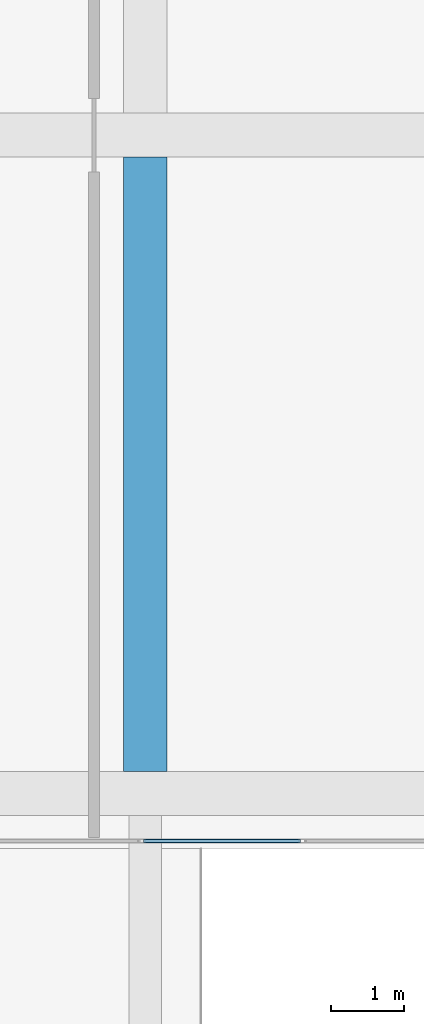
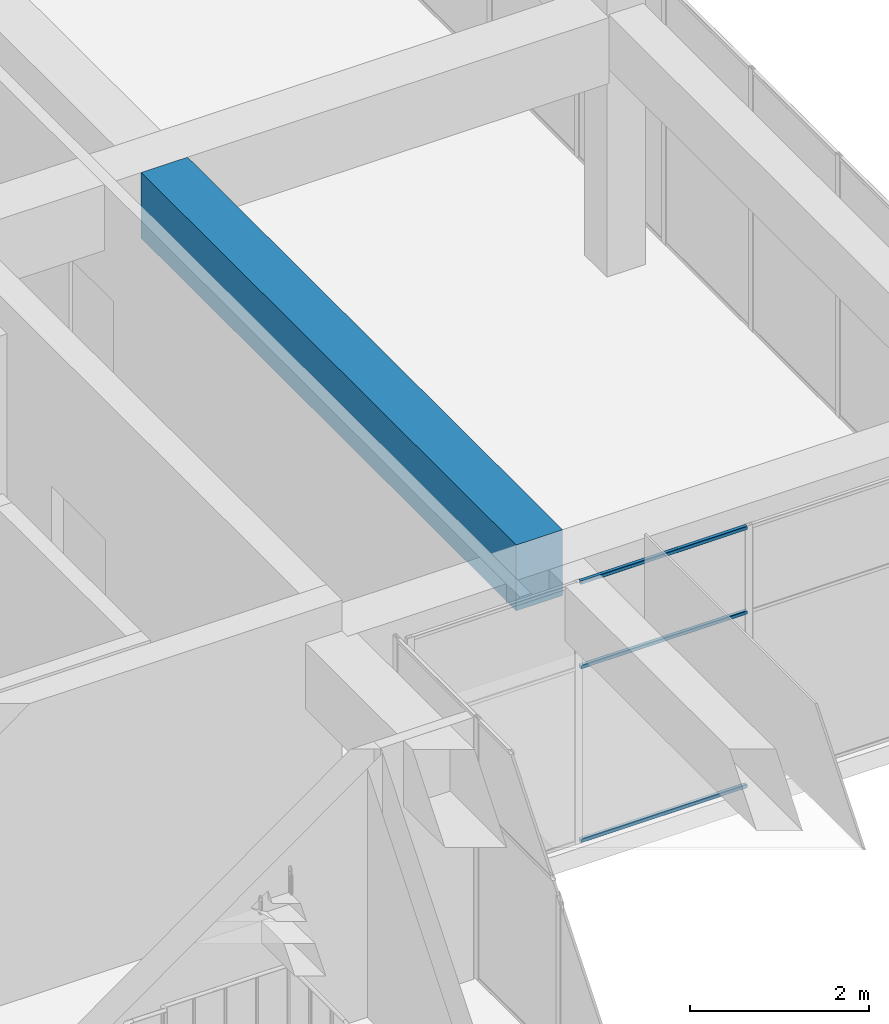
# One storey, part 10 of 36: 3 members, 1 beam, 1 element without a shape of its own.
"""IFC4 building model written with IfcOpenShell, lengths in metres."""

import ifcopenshell
import ifcopenshell.guid

model = None  # the IFC model being written
_history = None  # IfcOwnerHistory: only IFC2X3 demands one
_inside = {}  # id of a spatial element -> (the spatial element, [elements in it])
_under = {}  # id of a project, library or spatial element -> (it, [spatial elements below it])
_declared = {}  # id of a project -> (the project, [libraries it declares])
_typed = {}  # id of a type object -> (the type object, [elements of that type])
_made_of = {}  # id of a material, layer set ... -> (it, [elements and type objects made of it])


def new_model(schema):
    """Start an empty IFC model of exactly this schema.

    Asked for "IFC4X3", IfcOpenShell would pick the latest addendum, in which some entities
    have other attributes; the version numbers below select the first issue.
    IFC2X3 requires an IfcOwnerHistory on every rooted entity: one is made here for all.
    """
    global model, _history
    if schema == "IFC4X3":
        model = ifcopenshell.file(schema_version=(4, 3, 0, 0))
    else:
        model = ifcopenshell.file(schema=schema)
    _inside.clear()
    _under.clear()
    _declared.clear()
    _typed.clear()
    _made_of.clear()
    _history = None
    if model.schema == "IFC2X3":
        org = make("IfcOrganization", Name="unknown")
        user = make(
            "IfcPersonAndOrganization",
            ThePerson=make("IfcPerson", FamilyName="unknown"),
            TheOrganization=org,
        )
        app = make(
            "IfcApplication",
            ApplicationDeveloper=org,
            Version="unknown",
            ApplicationFullName="unknown",
            ApplicationIdentifier="unknown",
        )
        _history = make(
            "IfcOwnerHistory",
            OwningUser=user,
            OwningApplication=app,
            ChangeAction="ADDED",
            CreationDate=0,
        )
    return model


def make(cls, **values):
    """One entity of the class cls with the attributes given. An attribute that is None is left unset."""
    return model.create_entity(
        cls, **{name: value for name, value in values.items() if value is not None}
    )


def rooted(cls, **values):
    """An entity with a GlobalId (a new one), such as an element, a storey or a relation."""
    return make(cls, GlobalId=ifcopenshell.guid.new(), OwnerHistory=_history, **values)


def si_unit(unit_type, name, prefix=None):
    """IfcSIUnit, for example si_unit("LENGTHUNIT", "METRE", prefix="MILLI")."""
    return make("IfcSIUnit", UnitType=unit_type, Prefix=prefix, Name=name)


def assignment(units):
    """IfcUnitAssignment: the units of a project."""
    return None if units is None else make("IfcUnitAssignment", Units=units)


def point(xyz):
    """IfcCartesianPoint."""
    return None if xyz is None else make("IfcCartesianPoint", Coordinates=xyz)


def direction(xyz):
    """IfcDirection."""
    return None if xyz is None else make("IfcDirection", DirectionRatios=xyz)


def frame(location, z_axis=None, x_axis=None):
    """IfcAxis2Placement3D, a coordinate frame: its origin and axes. An axis left out is left unset."""
    return make(
        "IfcAxis2Placement3D",
        Location=point(location),
        Axis=direction(z_axis),
        RefDirection=direction(x_axis),
    )


def frame_2d(location, x_axis=None):
    """IfcAxis2Placement2D, a coordinate frame in the plane: its origin and x axis."""
    return make(
        "IfcAxis2Placement2D", Location=point(location), RefDirection=direction(x_axis)
    )


def origin():
    """The frame at (0, 0, 0) with its axes left unset."""
    return frame((0.0, 0.0, 0.0))


def origin_2d():
    """The frame at (0, 0) in the plane with its x axis left unset."""
    return frame_2d((0.0, 0.0))


def place(relative_to, where):
    """IfcLocalPlacement: puts the frame where relative to a parent placement (None: the world)."""
    return make(
        "IfcLocalPlacement", PlacementRelTo=relative_to, RelativePlacement=where
    )


def context(
    kind, dimensions, precision=None, world=None, true_north=None, identifier=None
):
    """IfcGeometricRepresentationContext, for example the 3D "Model" context."""
    return make(
        "IfcGeometricRepresentationContext",
        ContextIdentifier=identifier,
        ContextType=kind,
        CoordinateSpaceDimension=dimensions,
        Precision=precision,
        WorldCoordinateSystem=world,
        TrueNorth=true_north,
    )


def subcontext(parent, identifier, kind, view, scale=None):
    """IfcGeometricRepresentationSubContext, for example "Body" below "Model"."""
    return make(
        "IfcGeometricRepresentationSubContext",
        ContextIdentifier=identifier,
        ContextType=kind,
        ParentContext=parent,
        TargetScale=scale,
        TargetView=view,
    )


def project(units=None, contexts=None):
    """IfcProject with its units and contexts."""
    return rooted(
        "IfcProject",
        Name="project",
        RepresentationContexts=contexts,
        UnitsInContext=assignment(units),
    )


def spatial(cls, under=None, at=None, **own):
    """A site, building, storey or space (cls), placed at a placement, below another one or the project."""
    s = rooted(cls, ObjectPlacement=at, **own)
    if under is not None:
        _under.setdefault(under.id(), (under, []))[1].append(s)
    return s


def profile(cls, at=None, kind="AREA", **sizes):
    """A parametric profile (cls). Its sizes go by their IFC names, for example OverallWidth=200.0."""
    return make(cls, ProfileType=kind, Position=at, **sizes)


def rectangle(**sizes):
    """IfcRectangleProfileDef."""
    return profile("IfcRectangleProfileDef", **sizes)


def hollow_rectangle(**sizes):
    """IfcRectangleHollowProfileDef."""
    return profile("IfcRectangleHollowProfileDef", **sizes)


def extrude(swept, where, along, depth):
    """IfcExtrudedAreaSolid: the profile swept, set in the frame where, extruded along a direction by depth."""
    return make(
        "IfcExtrudedAreaSolid",
        SweptArea=swept,
        Position=where,
        ExtrudedDirection=direction(along),
        Depth=depth,
    )


def shape(context_of_items, identifier, shape_type, items):
    """IfcShapeRepresentation: the items that make up one representation, for example the "Body"."""
    return make(
        "IfcShapeRepresentation",
        ContextOfItems=context_of_items,
        RepresentationIdentifier=identifier,
        RepresentationType=shape_type,
        Items=items,
    )


def material(Name=None, Category=None):
    """IfcMaterial."""
    return make("IfcMaterial", Name=Name, Category=Category)


def layer(
    of_material, thickness, ventilated=None, Name=None, Category=None, Priority=None
):
    """IfcMaterialLayer: one layer of a wall or slab, of a material (None: an air gap)."""
    return make(
        "IfcMaterialLayer",
        Material=of_material,
        LayerThickness=thickness,
        IsVentilated=ventilated,
        Name=Name,
        Category=Category,
        Priority=Priority,
    )


def layer_set(layers, Name=None):
    """IfcMaterialLayerSet."""
    return make("IfcMaterialLayerSet", MaterialLayers=layers, LayerSetName=Name)


def material_profile(
    of_material, cross_section, Name=None, Category=None, Priority=None
):
    """IfcMaterialProfile: a cross section and its material."""
    return make(
        "IfcMaterialProfile",
        Name=Name,
        Material=of_material,
        Profile=cross_section,
        Priority=Priority,
        Category=Category,
    )


def profile_set(profiles, Name=None, composite=None):
    """IfcMaterialProfileSet."""
    return make(
        "IfcMaterialProfileSet",
        Name=Name,
        MaterialProfiles=profiles,
        CompositeProfile=composite,
    )


def made_of(thing, what):
    """Note that an element or type object is made of a material, layer set ...; save() writes the relation."""
    if what is not None:
        _made_of.setdefault(what.id(), (what, []))[1].append(thing)
    return thing


def type_object(cls, material=None, **own):
    """A type object (cls), such as IfcWallType, which elements share."""
    return made_of(rooted(cls, **own), material)


def element(
    cls,
    number,
    at=None,
    inside=None,
    cuts=None,
    type_object=None,
    material=None,
    context=None,
    identifier="Body",
    shape_type=None,
    held_by="IfcProductDefinitionShape",
    body=None,
    shapes=None,
    **own,
):
    """One element of the class cls, such as IfcWall. Its Tag is "e" and its number.

    at: its placement. inside: the storey or other place that contains it. cuts: it is an
    opening in that element (IfcRelVoidsElement). A single representation is given by context,
    identifier, shape_type and body (its items); several are given by shapes. held_by: the class
    of the entity that holds the representations. save() writes the other relations.
    """
    e = rooted(cls, Tag="e%d" % number, ObjectPlacement=at, **own)
    if body is not None:
        shapes = [shape(context, identifier, shape_type, body)]
    if shapes is not None:
        e.Representation = make(held_by, Representations=shapes)
    if inside is not None:
        _inside.setdefault(inside.id(), (inside, []))[1].append(e)
    if cuts is not None:
        rooted(
            "IfcRelVoidsElement", RelatingBuildingElement=cuts, RelatedOpeningElement=e
        )
    if type_object is not None:
        _typed.setdefault(type_object.id(), (type_object, []))[1].append(e)
    return made_of(e, material)


def aggregate(whole, parts):
    """IfcRelAggregates: a whole, such as a stair, and the parts it consists of."""
    return rooted("IfcRelAggregates", RelatingObject=whole, RelatedObjects=parts)


def save(model, path):
    """Write the relations noted so far, then the file.

    IfcRelAggregates (storeys below a building ...), IfcRelContainedInSpatialStructure (elements
    in a storey), IfcRelDefinesByType, IfcRelAssociatesMaterial and IfcRelDeclares: one each for
    every whole, place, type object, material and project.
    """
    for whole, parts in _under.values():
        aggregate(whole, parts)
    for where, things in _inside.values():
        rooted(
            "IfcRelContainedInSpatialStructure",
            RelatedElements=things,
            RelatingStructure=where,
        )
    for kind, things in _typed.values():
        rooted("IfcRelDefinesByType", RelatedObjects=things, RelatingType=kind)
    for what, things in _made_of.values():
        rooted("IfcRelAssociatesMaterial", RelatedObjects=things, RelatingMaterial=what)
    for by, libraries in _declared.values():
        rooted("IfcRelDeclares", RelatingContext=by, RelatedDefinitions=libraries)
    model.write(path)


model = new_model("IFC4")

# Units and contexts
model_context = context("Model", 3, precision=1e-05, world=origin(), true_north=direction((0.0, 1.0)))
body_context = subcontext(model_context, "Body", "Model", "MODEL_VIEW")
ifc_project = project(units=[si_unit("LENGTHUNIT", "METRE"), si_unit("AREAUNIT", "SQUARE_METRE"), si_unit("VOLUMEUNIT", "CUBIC_METRE"), si_unit("PLANEANGLEUNIT", "RADIAN"), si_unit("MASSUNIT", "GRAM", prefix="KILO")], contexts=[model_context])

# Site, building, storey
site_placement = place(None, origin())
site = spatial("IfcSite", under=ifc_project, at=site_placement, CompositionType="ELEMENT")
building_placement = place(site_placement, origin())
building = spatial("IfcBuilding", under=site, at=building_placement, Name="Tuart Plaza Theatre", CompositionType="ELEMENT")
storey_placement = place(building_placement, frame((0.0, 0.0, 61.5)))
storey = spatial("IfcBuildingStorey", under=building, at=storey_placement, Name="L15", CompositionType="ELEMENT", Elevation=61.5)

# Beam
ifc_material_1 = material(Name="Concrete N40 (40 MPa)", Category="concrete")
ifc_material_profile_1 = material_profile(ifc_material_1, rectangle(XDim=0.60009765625, YDim=0.89990234375, at=origin_2d()), Name="BEAM 600x900 Concrete N40 (40 MPa)")
ifc_profile_set_1 = profile_set([ifc_material_profile_1], Name="Concrete N40 (40 MPa)")
beam_type = type_object("IfcBeamType", Name="BEAM 600x900 Concrete N40 (40 MPa)", PredefinedType="BEAM", material=ifc_profile_set_1)
beam_placement = place(storey_placement, frame((144.0, 65.300048828125, 3.1298828125), z_axis=(0.0, 1.0, 0.0), x_axis=(-1.0, 0.0, 0.0)))
element("IfcBeam", 1, at=beam_placement, inside=storey, type_object=beam_type, Name="RB350", PredefinedType="BEAM", context=body_context, shape_type="SweptSolid", body=[
    extrude(rectangle(XDim=0.60009765625, YDim=0.89990234375, at=origin_2d()), origin(), (0.0, 0.0, 1.0), 8.39990234375),
])

# Curtain wall, members
ifc_material_2 = material(Name="Aluminium and glass", Category="aluminium")
ifc_layer = layer(ifc_material_2, 0.10009765625)
ifc_layer_set = layer_set([ifc_layer], Name="CURTAIN WALL 2000 module")
curtain_wall_type = type_object("IfcCurtainWallType", Name="CURTAIN WALL 2000 module", PredefinedType="NOTDEFINED", material=ifc_layer_set)
curtain_wall_placement = place(storey_placement, origin())
curtain_wall = element("IfcCurtainWall", 2, at=curtain_wall_placement, inside=storey, type_object=curtain_wall_type, Name="CW113", PredefinedType="NOTDEFINED")
ifc_material_3 = material(Name="Aluminium 6063-T5", Category="aluminium")
ifc_material_profile_2 = material_profile(ifc_material_3, hollow_rectangle(XDim=0.050048828125, YDim=0.050048828125, WallThickness=0.00390625, InnerFilletRadius=0.00390625, OuterFilletRadius=0.008056640625, at=origin_2d()), Name="RHS 50x50x4")
ifc_profile_set_2 = profile_set([ifc_material_profile_2], Name="Aluminium 6063-T5")
member_type = type_object("IfcMemberType", Name="TRANSOM RHS 50x50x4", PredefinedType="USERDEFINED", material=ifc_profile_set_2)
member_1_placement = place(storey_placement, frame((143.97509765625, 64.35009765625, 0.02490234375), z_axis=(1.0, 0.0, 0.0), x_axis=(0.0, 1.0, 0.0)))
member_1 = element("IfcMember", 3, at=member_1_placement, type_object=member_type, Name="CW113 transom 2.1", ObjectType="TRANSOM", PredefinedType="USERDEFINED", context=body_context, shape_type="SweptSolid", body=[
    extrude(hollow_rectangle(XDim=0.050048828125, YDim=0.050048828125, WallThickness=0.00390625, InnerFilletRadius=0.00390625, OuterFilletRadius=0.008056640625, at=origin_2d()), origin(), (0.0, 0.0, 1.0), 2.14990234375),
])
member_2_placement = place(storey_placement, frame((143.97509765625, 64.35009765625, 2.39990234375), z_axis=(1.0, 0.0, 0.0), x_axis=(0.0, 1.0, 0.0)))
member_2 = element("IfcMember", 4, at=member_2_placement, type_object=member_type, Name="CW113 transom 2.2", ObjectType="TRANSOM", PredefinedType="USERDEFINED", context=body_context, shape_type="SweptSolid", body=[
    extrude(hollow_rectangle(XDim=0.050048828125, YDim=0.050048828125, WallThickness=0.00390625, InnerFilletRadius=0.00390625, OuterFilletRadius=0.008056640625, at=origin_2d()), origin(), (0.0, 0.0, 1.0), 2.14990234375),
])
member_3_placement = place(storey_placement, frame((143.97509765625, 64.35009765625, 3.554931640625), z_axis=(1.0, 0.0, 0.0), x_axis=(0.0, 1.0, 0.0)))
member_3 = element("IfcMember", 5, at=member_3_placement, type_object=member_type, Name="CW113 transom 2.3", ObjectType="TRANSOM", PredefinedType="USERDEFINED", context=body_context, shape_type="SweptSolid", body=[
    extrude(hollow_rectangle(XDim=0.050048828125, YDim=0.050048828125, WallThickness=0.00390625, InnerFilletRadius=0.00390625, OuterFilletRadius=0.008056640625, at=origin_2d()), origin(), (0.0, 0.0, 1.0), 2.14990234375),
])
aggregate(curtain_wall, [member_1, member_2, member_3])

save(model, "model.ifc")
